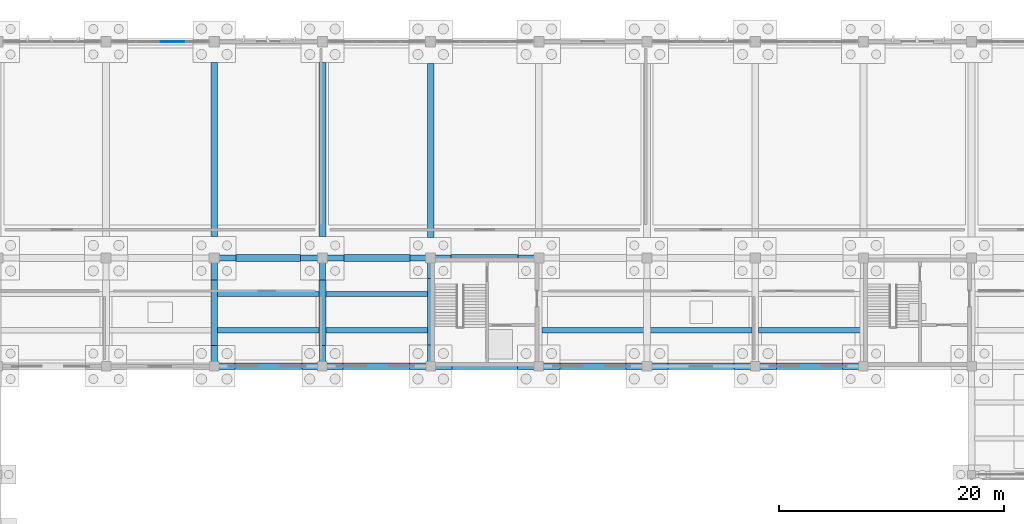
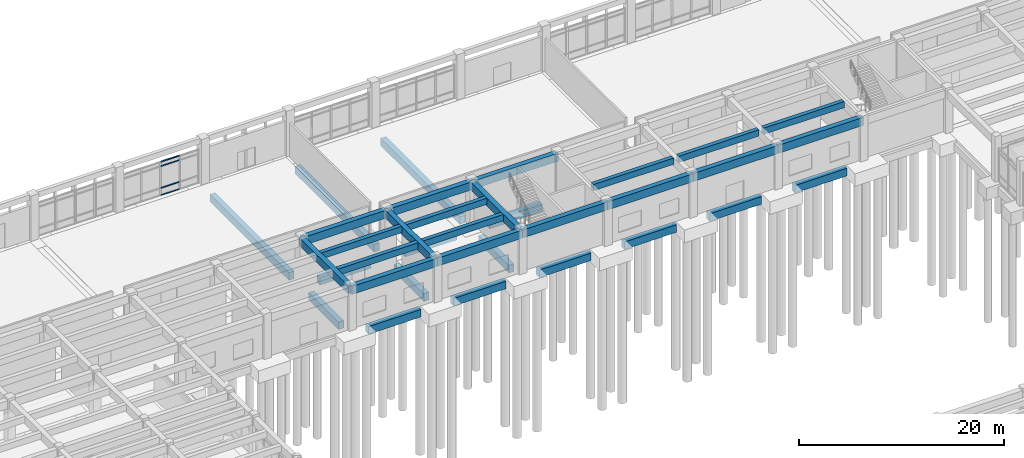
# One storey, part 37 of 102: 34 beams, 4 members, 1 element without a shape of its own.
"""IFC4 building model written with IfcOpenShell, lengths in metres."""

from ifc_helpers import new_model, si_unit, direction, frame, origin, origin_2d, place, context, subcontext, project, spatial, rectangle, extrude, material, layer, layer_set, material_profile, profile_set, type_object, element, aggregate, save


model = new_model("IFC4")

# Units and contexts
model_context = context("Model", 3, precision=1e-05, world=origin(), true_north=direction((0.0, 1.0)))
body_context = subcontext(model_context, "Body", "Model", "MODEL_VIEW")
ifc_project = project(units=[si_unit("LENGTHUNIT", "METRE"), si_unit("AREAUNIT", "SQUARE_METRE"), si_unit("VOLUMEUNIT", "CUBIC_METRE"), si_unit("PLANEANGLEUNIT", "RADIAN"), si_unit("MASSUNIT", "GRAM", prefix="KILO")], contexts=[model_context])

# Site, building, storey
site_placement = place(None, origin())
site = spatial("IfcSite", under=ifc_project, at=site_placement, CompositionType="ELEMENT")
building_placement = place(site_placement, origin())
building = spatial("IfcBuilding", under=site, at=building_placement, Name="Kolvemor Railside Polytechnic", CompositionType="ELEMENT")
storey_placement = place(building_placement, origin())
storey = spatial("IfcBuildingStorey", under=building, at=storey_placement, Name="L00", CompositionType="ELEMENT", Elevation=0.0)

# Beams
ifc_material_1 = material(Name="Concrete C40/50", Category="concrete")
ifc_material_profile_1 = material_profile(ifc_material_1, rectangle(XDim=0.550048828125, YDim=0.949951171875, at=origin_2d()), Name="RC550x950")
ifc_profile_set_1 = profile_set([ifc_material_profile_1], Name="Concrete C40/50")
beam_type_1 = type_object("IfcBeamType", Name="BM-RC-GIRD", PredefinedType="BEAM", material=ifc_profile_set_1)
beam_1_placement = place(storey_placement, frame((67.199951171875, 91.199951171875, 4.635009765625), z_axis=(1.0, 0.0, 0.0), x_axis=(0.0, 1.0, 0.0)))
element("IfcBeam", 1, at=beam_1_placement, inside=storey, type_object=beam_type_1, Name="Primary Girder L01-GX 0496", PredefinedType="BEAM", context=body_context, shape_type="SweptSolid", body=[
    extrude(rectangle(XDim=0.550048828125, YDim=0.949951171875, at=origin_2d()), origin(), (0.0, 0.0, 1.0), 9.60009765625),
])
beam_2_placement = place(storey_placement, frame((76.800048828125, 91.199951171875, 4.635009765625), z_axis=(1.0, 0.0, 0.0), x_axis=(0.0, 1.0, 0.0)))
element("IfcBeam", 2, at=beam_2_placement, inside=storey, type_object=beam_type_1, Name="Primary Girder L01-GX 0497", PredefinedType="BEAM", context=body_context, shape_type="SweptSolid", body=[
    extrude(rectangle(XDim=0.550048828125, YDim=0.949951171875, at=origin_2d()), origin(), (0.0, 0.0, 1.0), 9.599853515625),
])
for number, where, z_axis, x_axis, name in (
    (3, (86.39990234375, 91.199951171875, 4.635009765625), (1.0, 0.0, 0.0), (0.0, 1.0, 0.0), "Primary Girder L01-GX 0498"),
    (4, (96.0, 91.199951171875, 4.635009765625), (1.0, 0.0, 0.0), (0.0, 1.0, 0.0), "Primary Girder L01-GX 0499"),
):
    element("IfcBeam", number, at=place(storey_placement, frame(where, z_axis=z_axis, x_axis=x_axis)), inside=storey, type_object=beam_type_1, Name=name, PredefinedType="BEAM", context=body_context, shape_type="SweptSolid", body=[
        extrude(rectangle(XDim=0.550048828125, YDim=0.949951171875, at=origin_2d()), origin(), (0.0, 0.0, 1.0), 9.60009765625),
    ])
beam_3_placement = place(storey_placement, frame((105.60009765625, 91.199951171875, 4.635009765625), z_axis=(1.0, 0.0, 0.0), x_axis=(0.0, 1.0, 0.0)))
element("IfcBeam", 5, at=beam_3_placement, inside=storey, type_object=beam_type_1, Name="Primary Girder L01-GX 0500", PredefinedType="BEAM", context=body_context, shape_type="SweptSolid", body=[
    extrude(rectangle(XDim=0.550048828125, YDim=0.949951171875, at=origin_2d()), origin(), (0.0, 0.0, 1.0), 9.599853515625),
])
for number, where, z_axis, x_axis, name in (
    (6, (115.199951171875, 91.199951171875, 4.635009765625), (1.0, 0.0, 0.0), (0.0, 1.0, 0.0), "Primary Girder L01-GX 0501"),
    (7, (67.199951171875, 100.800048828125, 4.635009765625), (1.0, 0.0, 0.0), (0.0, 1.0, 0.0), "Primary Girder L01-GX 0510"),
):
    element("IfcBeam", number, at=place(storey_placement, frame(where, z_axis=z_axis, x_axis=x_axis)), inside=storey, type_object=beam_type_1, Name=name, PredefinedType="BEAM", context=body_context, shape_type="SweptSolid", body=[
        extrude(rectangle(XDim=0.550048828125, YDim=0.949951171875, at=origin_2d()), origin(), (0.0, 0.0, 1.0), 9.60009765625),
    ])
beam_4_placement = place(storey_placement, frame((76.800048828125, 100.800048828125, 4.635009765625), z_axis=(1.0, 0.0, 0.0), x_axis=(0.0, 1.0, 0.0)))
element("IfcBeam", 8, at=beam_4_placement, inside=storey, type_object=beam_type_1, Name="Primary Girder L01-GX 0511", PredefinedType="BEAM", context=body_context, shape_type="SweptSolid", body=[
    extrude(rectangle(XDim=0.550048828125, YDim=0.949951171875, at=origin_2d()), origin(), (0.0, 0.0, 1.0), 9.599853515625),
])
for number, where, z_axis, x_axis, name in (
    (9, (86.39990234375, 100.800048828125, 4.635009765625), (1.0, 0.0, 0.0), (0.0, 1.0, 0.0), "Primary Girder L01-GX 0512"),
    (10, (67.199951171875, 91.199951171875, 4.635009765625), (0.0, 1.0, 0.0), (-1.0, 0.0, 0.0), "Primary Girder L01-GY 0524"),
    (11, (76.800048828125, 91.199951171875, 4.635009765625), (0.0, 1.0, 0.0), (-1.0, 0.0, 0.0), "Primary Girder L01-GY 0525"),
    (12, (86.39990234375, 91.199951171875, 4.635009765625), (0.0, 1.0, 0.0), (-1.0, 0.0, 0.0), "Primary Girder L01-GY 0526"),
):
    element("IfcBeam", number, at=place(storey_placement, frame(where, z_axis=z_axis, x_axis=x_axis)), inside=storey, type_object=beam_type_1, Name=name, PredefinedType="BEAM", context=body_context, shape_type="SweptSolid", body=[
        extrude(rectangle(XDim=0.550048828125, YDim=0.949951171875, at=origin_2d()), origin(), (0.0, 0.0, 1.0), 9.60009765625),
    ])
ifc_material_2 = material(Name="Concrete C40/50", Category="concrete")
ifc_material_profile_2 = material_profile(ifc_material_2, rectangle(XDim=0.449951171875, YDim=0.75, at=origin_2d()), Name="RC450x750")
ifc_profile_set_2 = profile_set([ifc_material_profile_2], Name="Concrete C40/50")
beam_type_2 = type_object("IfcBeamType", Name="BM-RC-SEC", PredefinedType="JOIST", material=ifc_profile_set_2)
for number, where, z_axis, x_axis, name in (
    (13, (67.47509765625, 94.39990234375, 4.735107421875), (1.0, 0.0, 0.0), (0.0, 1.0, 0.0), "Floor Joist L01-J0544"),
    (14, (67.47509765625, 97.60009765625, 4.735107421875), (1.0, 0.0, 0.0), (0.0, 1.0, 0.0), "Floor Joist L01-J0545"),
):
    element("IfcBeam", number, at=place(storey_placement, frame(where, z_axis=z_axis, x_axis=x_axis)), inside=storey, type_object=beam_type_2, Name=name, PredefinedType="JOIST", context=body_context, shape_type="SweptSolid", body=[
        extrude(rectangle(XDim=0.449951171875, YDim=0.75, at=origin_2d()), origin(), (0.0, 0.0, 1.0), 9.0498046875),
    ])
for number, where, z_axis, x_axis, name in (
    (15, (77.074951171875, 94.39990234375, 4.735107421875), (1.0, 0.0, 0.0), (0.0, 1.0, 0.0), "Floor Joist L01-J0546"),
    (16, (77.074951171875, 97.60009765625, 4.735107421875), (1.0, 0.0, 0.0), (0.0, 1.0, 0.0), "Floor Joist L01-J0547"),
    (17, (96.27490234375, 94.39990234375, 4.735107421875), (1.0, 0.0, 0.0), (0.0, 1.0, 0.0), "Floor Joist L01-J0548"),
    (18, (105.875, 94.39990234375, 4.735107421875), (1.0, 0.0, 0.0), (0.0, 1.0, 0.0), "Floor Joist L01-J0550"),
):
    element("IfcBeam", number, at=place(storey_placement, frame(where, z_axis=z_axis, x_axis=x_axis)), inside=storey, type_object=beam_type_2, Name=name, PredefinedType="JOIST", context=body_context, shape_type="SweptSolid", body=[
        extrude(rectangle(XDim=0.449951171875, YDim=0.75, at=origin_2d()), origin(), (0.0, 0.0, 1.0), 9.050048828125),
    ])
beam_5_placement = place(storey_placement, frame((115.47509765625, 94.39990234375, 4.735107421875), z_axis=(1.0, 0.0, 0.0), x_axis=(0.0, 1.0, 0.0)))
element("IfcBeam", 19, at=beam_5_placement, inside=storey, type_object=beam_type_2, Name="Floor Joist L01-J0552", PredefinedType="JOIST", context=body_context, shape_type="SweptSolid", body=[
    extrude(rectangle(XDim=0.449951171875, YDim=0.75, at=origin_2d()), origin(), (0.0, 0.0, 1.0), 9.0498046875),
])
ifc_material_3 = material(Name="Concrete C40/50", Category="concrete")
ifc_material_profile_3 = material_profile(ifc_material_3, rectangle(XDim=0.60009765625, YDim=0.89990234375, at=origin_2d()), Name="RC600x900")
ifc_profile_set_3 = profile_set([ifc_material_profile_3], Name="Concrete C40/50")
beam_type_3 = type_object("IfcBeamType", Name="BM-RC-TIE", PredefinedType="BEAM", material=ifc_profile_set_3)
beam_6_placement = place(storey_placement, frame((69.027099609375, 91.199951171875, -0.75), z_axis=(1.0, 0.0, 0.0), x_axis=(0.0, 1.0, 0.0)))
element("IfcBeam", 20, at=beam_6_placement, inside=storey, type_object=beam_type_3, Name="Ground Tie Beam GTB-X190", PredefinedType="BEAM", context=body_context, shape_type="SweptSolid", body=[
    extrude(rectangle(XDim=0.60009765625, YDim=0.89990234375, at=origin_2d()), origin(), (0.0, 0.0, 1.0), 5.94580078125),
])
beam_7_placement = place(storey_placement, frame((78.626953125, 91.199951171875, -0.75), z_axis=(1.0, 0.0, 0.0), x_axis=(0.0, 1.0, 0.0)))
element("IfcBeam", 21, at=beam_7_placement, inside=storey, type_object=beam_type_3, Name="Ground Tie Beam GTB-X191", PredefinedType="BEAM", context=body_context, shape_type="SweptSolid", body=[
    extrude(rectangle(XDim=0.60009765625, YDim=0.89990234375, at=origin_2d()), origin(), (0.0, 0.0, 1.0), 5.89599609375),
])
for number, where, z_axis, x_axis, name in (
    (22, (88.277099609375, 91.199951171875, -0.75), (1.0, 0.0, 0.0), (0.0, 1.0, 0.0), "Ground Tie Beam GTB-X192"),
    (23, (97.876953125, 91.199951171875, -0.75), (1.0, 0.0, 0.0), (0.0, 1.0, 0.0), "Ground Tie Beam GTB-X193"),
    (24, (107.47705078125, 91.199951171875, -0.75), (1.0, 0.0, 0.0), (0.0, 1.0, 0.0), "Ground Tie Beam GTB-X194"),
):
    element("IfcBeam", number, at=place(storey_placement, frame(where, z_axis=z_axis, x_axis=x_axis)), inside=storey, type_object=beam_type_3, Name=name, PredefinedType="BEAM", context=body_context, shape_type="SweptSolid", body=[
        extrude(rectangle(XDim=0.60009765625, YDim=0.89990234375, at=origin_2d()), origin(), (0.0, 0.0, 1.0), 5.845947265625),
    ])
beam_8_placement = place(storey_placement, frame((117.076904296875, 91.199951171875, -0.75), z_axis=(1.0, 0.0, 0.0), x_axis=(0.0, 1.0, 0.0)))
element("IfcBeam", 25, at=beam_8_placement, inside=storey, type_object=beam_type_3, Name="Ground Tie Beam GTB-X195", PredefinedType="BEAM", context=body_context, shape_type="SweptSolid", body=[
    extrude(rectangle(XDim=0.60009765625, YDim=0.89990234375, at=origin_2d()), origin(), (0.0, 0.0, 1.0), 5.84619140625),
])
beam_9_placement = place(storey_placement, frame((69.126953125, 100.800048828125, -0.75), z_axis=(1.0, 0.0, 0.0), x_axis=(0.0, 1.0, 0.0)))
element("IfcBeam", 26, at=beam_9_placement, inside=storey, type_object=beam_type_3, Name="Ground Tie Beam GTB-X205", PredefinedType="BEAM", context=body_context, shape_type="SweptSolid", body=[
    extrude(rectangle(XDim=0.60009765625, YDim=0.89990234375, at=origin_2d()), origin(), (0.0, 0.0, 1.0), 5.74609375),
])
beam_10_placement = place(storey_placement, frame((78.72705078125, 100.800048828125, -0.75), z_axis=(1.0, 0.0, 0.0), x_axis=(0.0, 1.0, 0.0)))
element("IfcBeam", 27, at=beam_10_placement, inside=storey, type_object=beam_type_3, Name="Ground Tie Beam GTB-X206", PredefinedType="BEAM", context=body_context, shape_type="SweptSolid", body=[
    extrude(rectangle(XDim=0.60009765625, YDim=0.89990234375, at=origin_2d()), origin(), (0.0, 0.0, 1.0), 5.845947265625),
])
beam_11_placement = place(storey_placement, frame((88.22705078125, 100.800048828125, -0.75), z_axis=(1.0, 0.0, 0.0), x_axis=(0.0, 1.0, 0.0)))
element("IfcBeam", 28, at=beam_11_placement, inside=storey, type_object=beam_type_3, Name="Ground Tie Beam GTB-X207", PredefinedType="BEAM", context=body_context, shape_type="SweptSolid", body=[
    extrude(rectangle(XDim=0.60009765625, YDim=0.89990234375, at=origin_2d()), origin(), (0.0, 0.0, 1.0), 5.946044921875),
])
beam_12_placement = place(storey_placement, frame((67.199951171875, 93.027099609375, -0.75), z_axis=(0.0, 1.0, 0.0), x_axis=(-1.0, 0.0, 0.0)))
element("IfcBeam", 29, at=beam_12_placement, inside=storey, type_object=beam_type_3, Name="Ground Tie Beam GTB-Y318", PredefinedType="BEAM", context=body_context, shape_type="SweptSolid", body=[
    extrude(rectangle(XDim=0.60009765625, YDim=0.89990234375, at=origin_2d()), origin(), (0.0, 0.0, 1.0), 5.845947265625),
])
beam_13_placement = place(storey_placement, frame((67.199951171875, 102.72705078125, -0.75), z_axis=(0.0, 1.0, 0.0), x_axis=(-1.0, 0.0, 0.0)))
element("IfcBeam", 30, at=beam_13_placement, inside=storey, type_object=beam_type_3, Name="Ground Tie Beam GTB-Y319", PredefinedType="BEAM", context=body_context, shape_type="SweptSolid", body=[
    extrude(rectangle(XDim=0.60009765625, YDim=0.89990234375, at=origin_2d()), origin(), (0.0, 0.0, 1.0), 15.4208984375),
])
beam_14_placement = place(storey_placement, frame((76.800048828125, 93.027099609375, -0.75), z_axis=(0.0, 1.0, 0.0), x_axis=(-1.0, 0.0, 0.0)))
element("IfcBeam", 31, at=beam_14_placement, inside=storey, type_object=beam_type_3, Name="Ground Tie Beam GTB-Y328", PredefinedType="BEAM", context=body_context, shape_type="SweptSolid", body=[
    extrude(rectangle(XDim=0.60009765625, YDim=0.89990234375, at=origin_2d()), origin(), (0.0, 0.0, 1.0), 5.845947265625),
])
beam_15_placement = place(storey_placement, frame((76.800048828125, 102.72705078125, -0.75), z_axis=(0.0, 1.0, 0.0), x_axis=(-1.0, 0.0, 0.0)))
element("IfcBeam", 32, at=beam_15_placement, inside=storey, type_object=beam_type_3, Name="Ground Tie Beam GTB-Y329", PredefinedType="BEAM", context=body_context, shape_type="SweptSolid", body=[
    extrude(rectangle(XDim=0.60009765625, YDim=0.89990234375, at=origin_2d()), origin(), (0.0, 0.0, 1.0), 15.4208984375),
])
beam_16_placement = place(storey_placement, frame((86.39990234375, 93.076904296875, -0.75), z_axis=(0.0, 1.0, 0.0), x_axis=(-1.0, 0.0, 0.0)))
element("IfcBeam", 33, at=beam_16_placement, inside=storey, type_object=beam_type_3, Name="Ground Tie Beam GTB-Y338", PredefinedType="BEAM", context=body_context, shape_type="SweptSolid", body=[
    extrude(rectangle(XDim=0.60009765625, YDim=0.89990234375, at=origin_2d()), origin(), (0.0, 0.0, 1.0), 5.89599609375),
])
beam_17_placement = place(storey_placement, frame((86.39990234375, 102.626953125, -0.75), z_axis=(0.0, 1.0, 0.0), x_axis=(-1.0, 0.0, 0.0)))
element("IfcBeam", 34, at=beam_17_placement, inside=storey, type_object=beam_type_3, Name="Ground Tie Beam GTB-Y339", PredefinedType="BEAM", context=body_context, shape_type="SweptSolid", body=[
    extrude(rectangle(XDim=0.60009765625, YDim=0.89990234375, at=origin_2d()), origin(), (0.0, 0.0, 1.0), 15.446044921875),
])

# Curtain wall, members
ifc_material_4 = material(Name="Anodised marine aluminium and laminated low-E glass", Category="aluminium")
ifc_layer = layer(ifc_material_4, 0.179931640625, Name="CW-UNIT-WKS")
ifc_layer_set = layer_set([ifc_layer], Name="Anodised marine aluminium and laminated low-E glass")
curtain_wall_type = type_object("IfcCurtainWallType", Name="CW-UNIT-WKS", PredefinedType="USERDEFINED", material=ifc_layer_set)
curtain_wall_placement = place(storey_placement, origin())
curtain_wall = element("IfcCurtainWall", 35, at=curtain_wall_placement, inside=storey, type_object=curtain_wall_type, Name="Curtain Wall L00-007", ObjectType="UNITISED CURTAIN WALL", PredefinedType="USERDEFINED")
ifc_material_5 = material(Name="Anodised marine aluminium 6063-T6", Category="aluminium")
ifc_material_profile_4 = material_profile(ifc_material_5, rectangle(XDim=0.074951171875, YDim=0.139892578125, at=origin_2d()), Name="CW-TRN-75x140")
ifc_profile_set_4 = profile_set([ifc_material_profile_4], Name="Anodised marine aluminium 6063-T6")
member_type = type_object("IfcMemberType", Name="CWT-75x140", PredefinedType="USERDEFINED", material=ifc_profile_set_4)
member_1_placement = place(storey_placement, frame((64.527587890625, 120.0, 0.03759765625), z_axis=(-1.0, 0.0, 0.0), x_axis=(0.0, -1.0, 0.0)))
member_1 = element("IfcMember", 36, at=member_1_placement, type_object=member_type, Name="CW-WKS transom 2.1", ObjectType="TRANSOM", PredefinedType="USERDEFINED", context=body_context, shape_type="SweptSolid", body=[
    extrude(rectangle(XDim=0.074951171875, YDim=0.139892578125, at=origin_2d()), origin(), (0.0, 0.0, 1.0), 2.090087890625),
])
member_2_placement = place(storey_placement, frame((64.527587890625, 120.0, 0.89990234375), z_axis=(-1.0, 0.0, 0.0), x_axis=(0.0, -1.0, 0.0)))
member_2 = element("IfcMember", 37, at=member_2_placement, type_object=member_type, Name="CW-WKS transom 2.2", ObjectType="TRANSOM", PredefinedType="USERDEFINED", context=body_context, shape_type="SweptSolid", body=[
    extrude(rectangle(XDim=0.074951171875, YDim=0.139892578125, at=origin_2d()), origin(), (0.0, 0.0, 1.0), 2.090087890625),
])
member_3_placement = place(storey_placement, frame((64.527587890625, 120.0, 3.489990234375), z_axis=(-1.0, 0.0, 0.0), x_axis=(0.0, -1.0, 0.0)))
member_3 = element("IfcMember", 38, at=member_3_placement, type_object=member_type, Name="CW-WKS transom 2.3", ObjectType="TRANSOM", PredefinedType="USERDEFINED", context=body_context, shape_type="SweptSolid", body=[
    extrude(rectangle(XDim=0.074951171875, YDim=0.139892578125, at=origin_2d()), origin(), (0.0, 0.0, 1.0), 2.090087890625),
])
member_4_placement = place(storey_placement, frame((64.527587890625, 120.0, 4.00244140625), z_axis=(-1.0, 0.0, 0.0), x_axis=(0.0, -1.0, 0.0)))
member_4 = element("IfcMember", 39, at=member_4_placement, type_object=member_type, Name="CW-WKS transom 2.4", ObjectType="TRANSOM", PredefinedType="USERDEFINED", context=body_context, shape_type="SweptSolid", body=[
    extrude(rectangle(XDim=0.074951171875, YDim=0.139892578125, at=origin_2d()), origin(), (0.0, 0.0, 1.0), 2.090087890625),
])
aggregate(curtain_wall, [member_1, member_2, member_3, member_4])

save(model, "model.ifc")
